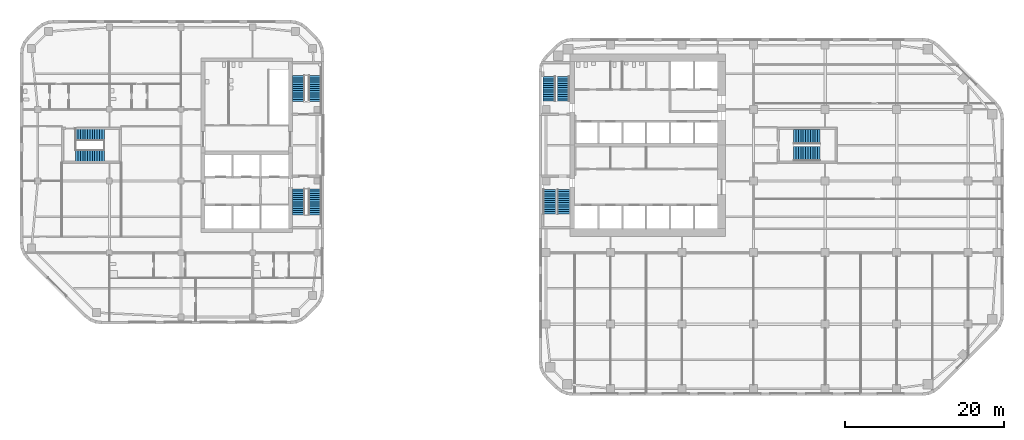
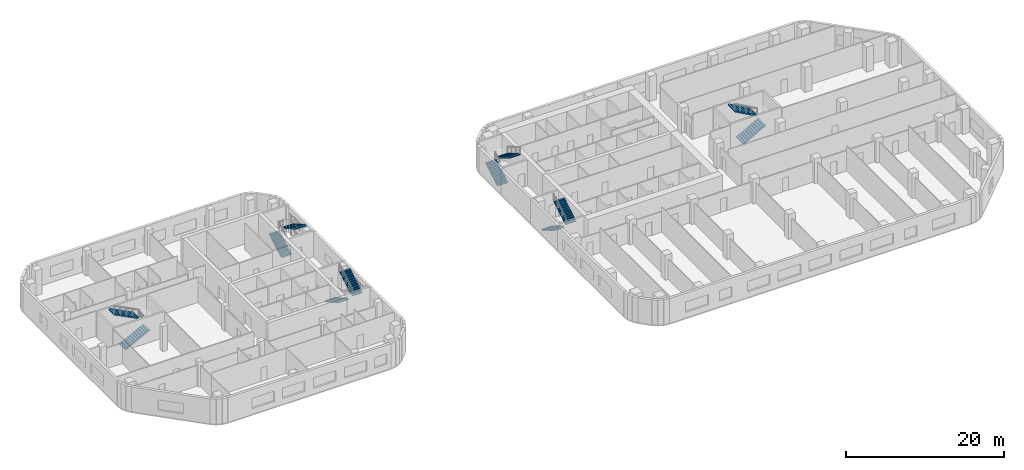
# One storey, part 12 of 15: 12 stair flights, 6 elements without a shape of their own.
"""IFC4 building model written with IfcOpenShell, lengths in metres."""

from ifc_helpers import new_model, si_unit, direction, frame, origin, place, context, subcontext, project, spatial, polyline, outline, extrude, material, type_object, element, aggregate, save


model = new_model("IFC4")

# Units and contexts
model_context = context("Model", 3, precision=1e-05, world=origin(), true_north=direction((0.0, 1.0)))
body_context = subcontext(model_context, "Body", "Model", "MODEL_VIEW")
ifc_project = project(units=[si_unit("LENGTHUNIT", "METRE"), si_unit("AREAUNIT", "SQUARE_METRE"), si_unit("VOLUMEUNIT", "CUBIC_METRE"), si_unit("PLANEANGLEUNIT", "RADIAN"), si_unit("MASSUNIT", "GRAM", prefix="KILO")], contexts=[model_context])

# Site, building, storey
site_placement = place(None, origin())
site = spatial("IfcSite", under=ifc_project, at=site_placement, CompositionType="ELEMENT")
building_placement = place(site_placement, origin())
building = spatial("IfcBuilding", under=site, at=building_placement, Name="Cinnabar Reach Civic Tower", CompositionType="ELEMENT")
storey_placement = place(building_placement, frame((0.0, 0.0, 59.0)))
storey = spatial("IfcBuildingStorey", under=building, at=storey_placement, Name="L13", CompositionType="ELEMENT", Elevation=59.0)

# Stair, stair flights
ifc_material_1 = material(Name="Concrete C40/50", Category="concrete")
stair_type_1 = type_object("IfcStairType", Name="T1 Exit stair, half-turn", PredefinedType="HALF_TURN_STAIR", material=ifc_material_1)
stair_1_placement = place(storey_placement, origin())
stair_1 = element("IfcStair", 1, at=stair_1_placement, inside=storey, type_object=stair_type_1, Name="Stair T1-S1", PredefinedType="HALF_TURN_STAIR")
stair_flight_type_1 = type_object("IfcStairFlightType", Name="T1 Stair flight, concrete", PredefinedType="STRAIGHT", material=ifc_material_1)
stair_flight_1_placement = place(storey_placement, frame((1.3125, 25.95, 0.0), z_axis=(0.0, 0.0, 1.0), x_axis=(0.0, -1.0, 0.0)))
stair_flight_1 = element("IfcStairFlight", 2, at=stair_flight_1_placement, type_object=stair_flight_type_1, Name="T1-S1 flight 1", NumberOfRisers=12, NumberOfTreads=11, PredefinedType="STRAIGHT", RiserHeight=0.166666667, TreadLength=0.28, context=body_context, shape_type="SweptSolid", body=[
    extrude(outline(polyline([(0.0, 0.0), (0.0, 0.1667), (0.28, 0.1667), (0.28, 0.3333), (0.56, 0.3333), (0.56, 0.5), (0.84, 0.5), (0.84, 0.6667), (1.12, 0.6667), (1.12, 0.8333), (1.4, 0.8333), (1.4, 1.0), (1.68, 1.0), (1.68, 1.1667), (1.96, 1.1667), (1.96, 1.3333), (2.24, 1.3333), (2.24, 1.5), (2.52, 1.5), (2.52, 1.6667), (2.8, 1.6667), (2.8, 1.8333), (3.08, 1.8333), (3.08, 2.0), (3.08, 1.6588), (0.2933, 0.0), (0.0, 0.0)])), frame((0.0, 0.7625, 0.0), z_axis=(0.0, -1.0, 0.0), x_axis=(1.0, 0.0, 0.0)), (0.0, 0.0, 1.0), 1.525),
])
stair_flight_2_placement = place(storey_placement, frame((3.0875, 22.87, 2.0), z_axis=(0.0, 0.0, 1.0), x_axis=(0.0, 1.0, 0.0)))
stair_flight_2 = element("IfcStairFlight", 3, at=stair_flight_2_placement, type_object=stair_flight_type_1, Name="T1-S1 flight 2", NumberOfRisers=12, NumberOfTreads=11, PredefinedType="STRAIGHT", RiserHeight=0.166666667, TreadLength=0.28, context=body_context, shape_type="SweptSolid", body=[
    extrude(outline(polyline([(0.0, 0.0), (0.0, 0.1667), (0.28, 0.1667), (0.28, 0.3333), (0.56, 0.3333), (0.56, 0.5), (0.84, 0.5), (0.84, 0.6667), (1.12, 0.6667), (1.12, 0.8333), (1.4, 0.8333), (1.4, 1.0), (1.68, 1.0), (1.68, 1.1667), (1.96, 1.1667), (1.96, 1.3333), (2.24, 1.3333), (2.24, 1.5), (2.52, 1.5), (2.52, 1.6667), (2.8, 1.6667), (2.8, 1.8333), (3.08, 1.8333), (3.08, 2.0), (3.08, 1.6588), (0.2933, 0.0), (0.0, 0.0)])), frame((0.0, 0.7625, 0.0), z_axis=(0.0, -1.0, 0.0), x_axis=(1.0, 0.0, 0.0)), (0.0, 0.0, 1.0), 1.525),
])
aggregate(stair_1, [stair_flight_1, stair_flight_2])

stair_2_placement = place(storey_placement, origin())
stair_2 = element("IfcStair", 4, at=stair_2_placement, inside=storey, type_object=stair_type_1, Name="Stair T1-S2", PredefinedType="HALF_TURN_STAIR")
stair_flight_3_placement = place(storey_placement, frame((1.3125, 37.05, 0.0), z_axis=(0.0, 0.0, 1.0), x_axis=(0.0, 1.0, 0.0)))
stair_flight_3 = element("IfcStairFlight", 5, at=stair_flight_3_placement, type_object=stair_flight_type_1, Name="T1-S2 flight 1", NumberOfRisers=12, NumberOfTreads=11, PredefinedType="STRAIGHT", RiserHeight=0.166666667, TreadLength=0.28, context=body_context, shape_type="SweptSolid", body=[
    extrude(outline(polyline([(0.0, 0.0), (0.0, 0.1667), (0.28, 0.1667), (0.28, 0.3333), (0.56, 0.3333), (0.56, 0.5), (0.84, 0.5), (0.84, 0.6667), (1.12, 0.6667), (1.12, 0.8333), (1.4, 0.8333), (1.4, 1.0), (1.68, 1.0), (1.68, 1.1667), (1.96, 1.1667), (1.96, 1.3333), (2.24, 1.3333), (2.24, 1.5), (2.52, 1.5), (2.52, 1.6667), (2.8, 1.6667), (2.8, 1.8333), (3.08, 1.8333), (3.08, 2.0), (3.08, 1.6588), (0.2933, 0.0), (0.0, 0.0)])), frame((0.0, 0.7625, 0.0), z_axis=(0.0, -1.0, 0.0), x_axis=(1.0, 0.0, 0.0)), (0.0, 0.0, 1.0), 1.525),
])
stair_flight_4_placement = place(storey_placement, frame((3.0875, 40.13, 2.0), z_axis=(0.0, 0.0, 1.0), x_axis=(0.0, -1.0, 0.0)))
stair_flight_4 = element("IfcStairFlight", 6, at=stair_flight_4_placement, type_object=stair_flight_type_1, Name="T1-S2 flight 2", NumberOfRisers=12, NumberOfTreads=11, PredefinedType="STRAIGHT", RiserHeight=0.166666667, TreadLength=0.28, context=body_context, shape_type="SweptSolid", body=[
    extrude(outline(polyline([(0.0, 0.0), (0.0, 0.1667), (0.28, 0.1667), (0.28, 0.3333), (0.56, 0.3333), (0.56, 0.5), (0.84, 0.5), (0.84, 0.6667), (1.12, 0.6667), (1.12, 0.8333), (1.4, 0.8333), (1.4, 1.0), (1.68, 1.0), (1.68, 1.1667), (1.96, 1.1667), (1.96, 1.3333), (2.24, 1.3333), (2.24, 1.5), (2.52, 1.5), (2.52, 1.6667), (2.8, 1.6667), (2.8, 1.8333), (3.08, 1.8333), (3.08, 2.0), (3.08, 1.6588), (0.2933, 0.0), (0.0, 0.0)])), frame((0.0, 0.7625, 0.0), z_axis=(0.0, -1.0, 0.0), x_axis=(1.0, 0.0, 0.0)), (0.0, 0.0, 1.0), 1.525),
])
aggregate(stair_2, [stair_flight_3, stair_flight_4])

stair_3_placement = place(storey_placement, origin())
stair_3 = element("IfcStair", 7, at=stair_3_placement, inside=storey, type_object=stair_type_1, Name="Stair T1-S3", PredefinedType="HALF_TURN_STAIR")
stair_flight_5_placement = place(storey_placement, frame((32.05, 30.45, 0.0), z_axis=(0.0, 0.0, 1.0), x_axis=(1.0, 0.0, 0.0)))
stair_flight_5 = element("IfcStairFlight", 8, at=stair_flight_5_placement, type_object=stair_flight_type_1, Name="T1-S3 flight 1", NumberOfRisers=12, NumberOfTreads=11, PredefinedType="STRAIGHT", RiserHeight=0.166666667, TreadLength=0.3, context=body_context, shape_type="SweptSolid", body=[
    extrude(outline(polyline([(0.0, 0.0), (0.0, 0.1667), (0.3, 0.1667), (0.3, 0.3333), (0.6, 0.3333), (0.6, 0.5), (0.9, 0.5), (0.9, 0.6667), (1.2, 0.6667), (1.2, 0.8333), (1.5, 0.8333), (1.5, 1.0), (1.8, 1.0), (1.8, 1.1667), (2.1, 1.1667), (2.1, 1.3333), (2.4, 1.3333), (2.4, 1.5), (2.7, 1.5), (2.7, 1.6667), (3.0, 1.6667), (3.0, 1.8333), (3.3, 1.8333), (3.3, 2.0), (3.3, 1.6617), (0.3089, 0.0), (0.0, 0.0)])), frame((0.0, 0.9, 0.0), z_axis=(0.0, -1.0, 0.0), x_axis=(1.0, 0.0, 0.0)), (0.0, 0.0, 1.0), 1.8),
])
stair_flight_6_placement = place(storey_placement, frame((35.35, 32.55, 2.0), z_axis=(0.0, 0.0, 1.0), x_axis=(-1.0, 0.0, 0.0)))
stair_flight_6 = element("IfcStairFlight", 9, at=stair_flight_6_placement, type_object=stair_flight_type_1, Name="T1-S3 flight 2", NumberOfRisers=12, NumberOfTreads=11, PredefinedType="STRAIGHT", RiserHeight=0.166666667, TreadLength=0.3, context=body_context, shape_type="SweptSolid", body=[
    extrude(outline(polyline([(0.0, 0.0), (0.0, 0.1667), (0.3, 0.1667), (0.3, 0.3333), (0.6, 0.3333), (0.6, 0.5), (0.9, 0.5), (0.9, 0.6667), (1.2, 0.6667), (1.2, 0.8333), (1.5, 0.8333), (1.5, 1.0), (1.8, 1.0), (1.8, 1.1667), (2.1, 1.1667), (2.1, 1.3333), (2.4, 1.3333), (2.4, 1.5), (2.7, 1.5), (2.7, 1.6667), (3.0, 1.6667), (3.0, 1.8333), (3.3, 1.8333), (3.3, 2.0), (3.3, 1.6617), (0.3089, 0.0), (0.0, 0.0)])), frame((0.0, 0.9, 0.0), z_axis=(0.0, -1.0, 0.0), x_axis=(1.0, 0.0, 0.0)), (0.0, 0.0, 1.0), 1.8),
])
aggregate(stair_3, [stair_flight_5, stair_flight_6])

ifc_material_2 = material(Name="Concrete C40", Category="concrete")
stair_type_2 = type_object("IfcStairType", Name="T2 Exit stair 1500", PredefinedType="HALF_TURN_STAIR", material=ifc_material_2)
stair_4_placement = place(storey_placement, origin())
stair_4 = element("IfcStair", 10, at=stair_4_placement, inside=storey, type_object=stair_type_2, Name="Exit stair 1", PredefinedType="HALF_TURN_STAIR")
stair_flight_type_2 = type_object("IfcStairFlightType", Name="T2 Stair flight 1500", PredefinedType="STRAIGHT", material=ifc_material_2)
stair_flight_7_placement = place(storey_placement, frame((-30.25, 26.0, 0.0), z_axis=(0.0, 0.0, 1.0), x_axis=(0.0, -1.0, 0.0)))
stair_flight_7 = element("IfcStairFlight", 11, at=stair_flight_7_placement, type_object=stair_flight_type_2, Name="ST1 flight 1", NumberOfRisers=13, NumberOfTreads=12, PredefinedType="STRAIGHT", RiserHeight=0.153846154, TreadLength=0.270833333, context=body_context, shape_type="SweptSolid", body=[
    extrude(outline(polyline([(0.0, 0.0), (0.0, 0.1538), (0.2708, 0.1538), (0.2708, 0.3077), (0.5417, 0.3077), (0.5417, 0.4615), (0.8125, 0.4615), (0.8125, 0.6154), (1.0833, 0.6154), (1.0833, 0.7692), (1.3542, 0.7692), (1.3542, 0.9231), (1.625, 0.9231), (1.625, 1.0769), (1.8958, 1.0769), (1.8958, 1.2308), (2.1667, 1.2308), (2.1667, 1.3846), (2.4375, 1.3846), (2.4375, 1.5385), (2.7083, 1.5385), (2.7083, 1.6923), (2.9792, 1.6923), (2.9792, 1.8462), (3.25, 1.8462), (3.25, 2.0), (3.25, 1.6736), (0.3037, 0.0), (0.0, 0.0)])), frame((0.0, 0.75, 0.0), z_axis=(0.0, -1.0, 0.0), x_axis=(1.0, 0.0, 0.0)), (0.0, 0.0, 1.0), 1.5),
])
stair_flight_8_placement = place(storey_placement, frame((-28.15, 22.75, 2.0), z_axis=(0.0, 0.0, 1.0), x_axis=(0.0, 1.0, 0.0)))
stair_flight_8 = element("IfcStairFlight", 12, at=stair_flight_8_placement, type_object=stair_flight_type_2, Name="ST1 flight 2", NumberOfRisers=13, NumberOfTreads=12, PredefinedType="STRAIGHT", RiserHeight=0.153846154, TreadLength=0.270833333, context=body_context, shape_type="SweptSolid", body=[
    extrude(outline(polyline([(0.0, 0.0), (0.0, 0.1538), (0.2708, 0.1538), (0.2708, 0.3077), (0.5417, 0.3077), (0.5417, 0.4615), (0.8125, 0.4615), (0.8125, 0.6154), (1.0833, 0.6154), (1.0833, 0.7692), (1.3542, 0.7692), (1.3542, 0.9231), (1.625, 0.9231), (1.625, 1.0769), (1.8958, 1.0769), (1.8958, 1.2308), (2.1667, 1.2308), (2.1667, 1.3846), (2.4375, 1.3846), (2.4375, 1.5385), (2.7083, 1.5385), (2.7083, 1.6923), (2.9792, 1.6923), (2.9792, 1.8462), (3.25, 1.8462), (3.25, 2.0), (3.25, 1.6736), (0.3037, 0.0), (0.0, 0.0)])), frame((0.0, 0.75, 0.0), z_axis=(0.0, -1.0, 0.0), x_axis=(1.0, 0.0, 0.0)), (0.0, 0.0, 1.0), 1.5),
])
aggregate(stair_4, [stair_flight_7, stair_flight_8])

stair_5_placement = place(storey_placement, origin())
stair_5 = element("IfcStair", 13, at=stair_5_placement, inside=storey, type_object=stair_type_2, Name="Exit stair 2", PredefinedType="HALF_TURN_STAIR")
stair_flight_9_placement = place(storey_placement, frame((-30.25, 37.0, 0.0), z_axis=(0.0, 0.0, 1.0), x_axis=(0.0, 1.0, 0.0)))
stair_flight_9 = element("IfcStairFlight", 14, at=stair_flight_9_placement, type_object=stair_flight_type_2, Name="ST2 flight 1", NumberOfRisers=13, NumberOfTreads=12, PredefinedType="STRAIGHT", RiserHeight=0.153846154, TreadLength=0.270833333, context=body_context, shape_type="SweptSolid", body=[
    extrude(outline(polyline([(0.0, 0.0), (0.0, 0.1538), (0.2708, 0.1538), (0.2708, 0.3077), (0.5417, 0.3077), (0.5417, 0.4615), (0.8125, 0.4615), (0.8125, 0.6154), (1.0833, 0.6154), (1.0833, 0.7692), (1.3542, 0.7692), (1.3542, 0.9231), (1.625, 0.9231), (1.625, 1.0769), (1.8958, 1.0769), (1.8958, 1.2308), (2.1667, 1.2308), (2.1667, 1.3846), (2.4375, 1.3846), (2.4375, 1.5385), (2.7083, 1.5385), (2.7083, 1.6923), (2.9792, 1.6923), (2.9792, 1.8462), (3.25, 1.8462), (3.25, 2.0), (3.25, 1.6736), (0.3037, 0.0), (0.0, 0.0)])), frame((0.0, 0.75, 0.0), z_axis=(0.0, -1.0, 0.0), x_axis=(1.0, 0.0, 0.0)), (0.0, 0.0, 1.0), 1.5),
])
stair_flight_10_placement = place(storey_placement, frame((-28.15, 40.25, 2.0), z_axis=(0.0, 0.0, 1.0), x_axis=(0.0, -1.0, 0.0)))
stair_flight_10 = element("IfcStairFlight", 15, at=stair_flight_10_placement, type_object=stair_flight_type_2, Name="ST2 flight 2", NumberOfRisers=13, NumberOfTreads=12, PredefinedType="STRAIGHT", RiserHeight=0.153846154, TreadLength=0.270833333, context=body_context, shape_type="SweptSolid", body=[
    extrude(outline(polyline([(0.0, 0.0), (0.0, 0.1538), (0.2708, 0.1538), (0.2708, 0.3077), (0.5417, 0.3077), (0.5417, 0.4615), (0.8125, 0.4615), (0.8125, 0.6154), (1.0833, 0.6154), (1.0833, 0.7692), (1.3542, 0.7692), (1.3542, 0.9231), (1.625, 0.9231), (1.625, 1.0769), (1.8958, 1.0769), (1.8958, 1.2308), (2.1667, 1.2308), (2.1667, 1.3846), (2.4375, 1.3846), (2.4375, 1.5385), (2.7083, 1.5385), (2.7083, 1.6923), (2.9792, 1.6923), (2.9792, 1.8462), (3.25, 1.8462), (3.25, 2.0), (3.25, 1.6736), (0.3037, 0.0), (0.0, 0.0)])), frame((0.0, 0.75, 0.0), z_axis=(0.0, -1.0, 0.0), x_axis=(1.0, 0.0, 0.0)), (0.0, 0.0, 1.0), 1.5),
])
aggregate(stair_5, [stair_flight_9, stair_flight_10])

stair_6_placement = place(storey_placement, origin())
stair_6 = element("IfcStair", 16, at=stair_6_placement, inside=storey, type_object=stair_type_2, Name="Exit stair 3", PredefinedType="HALF_TURN_STAIR")
stair_flight_11_placement = place(storey_placement, frame((-58.25, 30.125, 0.0), z_axis=(0.0, 0.0, 1.0), x_axis=(1.0, 0.0, 0.0)))
stair_flight_11 = element("IfcStairFlight", 17, at=stair_flight_11_placement, type_object=stair_flight_type_2, Name="ST3 flight 1", NumberOfRisers=13, NumberOfTreads=12, PredefinedType="STRAIGHT", RiserHeight=0.153846154, TreadLength=0.3, context=body_context, shape_type="SweptSolid", body=[
    extrude(outline(polyline([(0.0, 0.0), (0.0, 0.1538), (0.3, 0.1538), (0.3, 0.3077), (0.6, 0.3077), (0.6, 0.4615), (0.9, 0.4615), (0.9, 0.6154), (1.2, 0.6154), (1.2, 0.7692), (1.5, 0.7692), (1.5, 0.9231), (1.8, 0.9231), (1.8, 1.0769), (2.1, 1.0769), (2.1, 1.2308), (2.4, 1.2308), (2.4, 1.3846), (2.7, 1.3846), (2.7, 1.5385), (3.0, 1.5385), (3.0, 1.6923), (3.3, 1.6923), (3.3, 1.8462), (3.6, 1.8462), (3.6, 2.0), (3.6, 1.6776), (0.3287, 0.0), (0.0, 0.0)])), frame((0.0, 0.75, 0.0), z_axis=(0.0, -1.0, 0.0), x_axis=(1.0, 0.0, 0.0)), (0.0, 0.0, 1.0), 1.5),
])
stair_flight_12_placement = place(storey_placement, frame((-54.65, 32.875, 2.0), z_axis=(0.0, 0.0, 1.0), x_axis=(-1.0, 0.0, 0.0)))
stair_flight_12 = element("IfcStairFlight", 18, at=stair_flight_12_placement, type_object=stair_flight_type_2, Name="ST3 flight 2", NumberOfRisers=13, NumberOfTreads=12, PredefinedType="STRAIGHT", RiserHeight=0.153846154, TreadLength=0.3, context=body_context, shape_type="SweptSolid", body=[
    extrude(outline(polyline([(0.0, 0.0), (0.0, 0.1538), (0.3, 0.1538), (0.3, 0.3077), (0.6, 0.3077), (0.6, 0.4615), (0.9, 0.4615), (0.9, 0.6154), (1.2, 0.6154), (1.2, 0.7692), (1.5, 0.7692), (1.5, 0.9231), (1.8, 0.9231), (1.8, 1.0769), (2.1, 1.0769), (2.1, 1.2308), (2.4, 1.2308), (2.4, 1.3846), (2.7, 1.3846), (2.7, 1.5385), (3.0, 1.5385), (3.0, 1.6923), (3.3, 1.6923), (3.3, 1.8462), (3.6, 1.8462), (3.6, 2.0), (3.6, 1.6776), (0.3287, 0.0), (0.0, 0.0)])), frame((0.0, 0.75, 0.0), z_axis=(0.0, -1.0, 0.0), x_axis=(1.0, 0.0, 0.0)), (0.0, 0.0, 1.0), 1.5),
])
aggregate(stair_6, [stair_flight_11, stair_flight_12])

save(model, "model.ifc")
